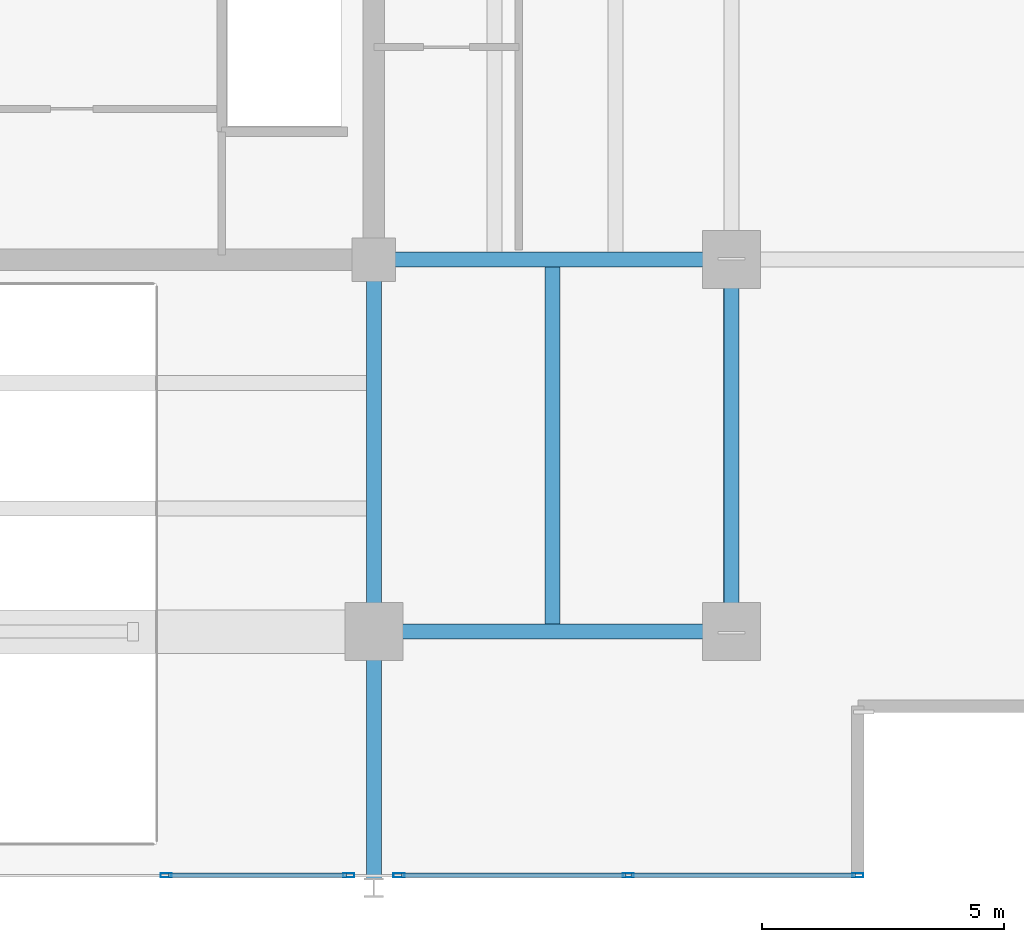
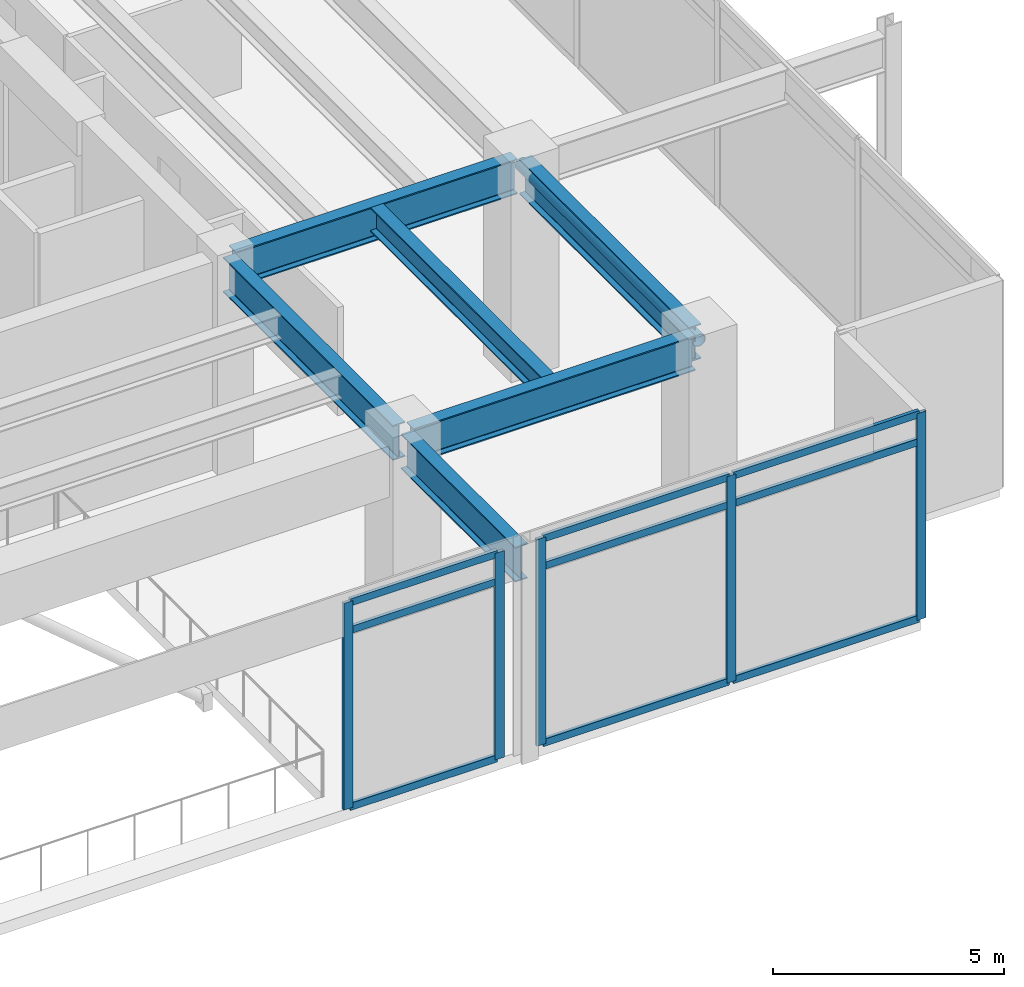
# One storey, part 9 of 25: 15 members, 6 beams, 2 elements without a shape of their own.
"""IFC4 building model written with IfcOpenShell, lengths in metres."""

from ifc_helpers import new_model, si_unit, direction, frame, origin, origin_2d, place, context, subcontext, project, spatial, hollow_rectangle, hollow_circle, i_section, extrude, material, material_profile, profile_set, type_object, element, aggregate, save


model = new_model("IFC4")

# Units and contexts
model_context = context("Model", 3, precision=1e-05, world=origin(), true_north=direction((0.0, 1.0)))
body_context = subcontext(model_context, "Body", "Model", "MODEL_VIEW")
ifc_project = project(units=[si_unit("LENGTHUNIT", "METRE"), si_unit("AREAUNIT", "SQUARE_METRE"), si_unit("VOLUMEUNIT", "CUBIC_METRE"), si_unit("PLANEANGLEUNIT", "RADIAN"), si_unit("MASSUNIT", "GRAM", prefix="KILO")], contexts=[model_context])

# Site, building, storey
site_placement = place(None, origin())
site = spatial("IfcSite", under=ifc_project, at=site_placement, CompositionType="ELEMENT")
building_placement = place(site_placement, origin())
building = spatial("IfcBuilding", under=site, at=building_placement, Name="Kovane Verandah Tower", CompositionType="ELEMENT")
storey_placement = place(building_placement, frame((0.0, 0.0, 295.199951171875)))
storey = spatial("IfcBuildingStorey", under=building, at=storey_placement, Name="L69", CompositionType="ELEMENT", Elevation=295.199951171875)

# Beams
ifc_material_1 = material(Name="Steel S460", Category="steel")
ifc_material_profile_1 = material_profile(ifc_material_1, i_section(OverallWidth=0.311279296875, OverallDepth=0.6357421875, WebThickness=0.018310546875, FlangeThickness=0.031494140625, FilletRadius=0.0166015625, at=origin_2d()), Name="UB610x305x238")
ifc_profile_set_1 = profile_set([ifc_material_profile_1], Name="Steel S460")
beam_type_1 = type_object("IfcBeamType", Name="BM-UB610x238", PredefinedType="BEAM", material=ifc_profile_set_1)
beam_1_placement = place(storey_placement, frame((54.699951171875, 10.951904296875, 5.18212890625), z_axis=(0.0, 1.0, 0.0), x_axis=(-1.0, 0.0, 0.0)))
element("IfcBeam", 1, at=beam_1_placement, inside=storey, type_object=beam_type_1, Name="L69 Secondary Composite Joist J-SE1", PredefinedType="BEAM", context=body_context, shape_type="SweptSolid", body=[
    extrude(i_section(OverallWidth=0.311279296875, OverallDepth=0.6357421875, WebThickness=0.018310546875, FlangeThickness=0.031494140625, FilletRadius=0.0166015625, at=origin_2d()), origin(), (0.0, 0.0, 1.0), 7.396240234375),
])
ifc_material_profile_2 = material_profile(ifc_material_1, i_section(OverallWidth=0.3076171875, OverallDepth=0.926513671875, WebThickness=0.01953125, FlangeThickness=0.031982421875, FilletRadius=0.01904296875, at=origin_2d()), Name="UB914x305x289")
ifc_profile_set_2 = profile_set([ifc_material_profile_2], Name="Steel S460")
beam_type_2 = type_object("IfcBeamType", Name="BM-UB914x289", PredefinedType="BEAM", material=ifc_profile_set_2)
beam_2_placement = place(storey_placement, frame((51.179931640625, 10.800048828125, 5.036865234375), z_axis=(1.0, 0.0, 0.0), x_axis=(0.0, 1.0, 0.0)))
element("IfcBeam", 2, at=beam_2_placement, inside=storey, type_object=beam_type_2, Name="L69 Primary Tower Girder G-RS3", PredefinedType="BEAM", context=body_context, shape_type="SweptSolid", body=[
    extrude(i_section(OverallWidth=0.3076171875, OverallDepth=0.926513671875, WebThickness=0.01953125, FlangeThickness=0.031982421875, FilletRadius=0.01904296875, at=origin_2d()), origin(), (0.0, 0.0, 1.0), 7.0400390625),
])
beam_3_placement = place(storey_placement, frame((58.39990234375, 10.97998046875, 5.036865234375), z_axis=(0.0, 1.0, 0.0), x_axis=(-1.0, 0.0, 0.0)))
element("IfcBeam", 3, at=beam_3_placement, inside=storey, type_object=beam_type_2, Name="L69 Primary Tower Girder G-RE1", PredefinedType="BEAM", context=body_context, shape_type="SweptSolid", body=[
    extrude(i_section(OverallWidth=0.3076171875, OverallDepth=0.926513671875, WebThickness=0.01953125, FlangeThickness=0.031982421875, FilletRadius=0.01904296875, at=origin_2d()), origin(), (0.0, 0.0, 1.0), 7.340087890625),
])
beam_4_placement = place(storey_placement, frame((51.179931640625, 18.5, 5.036865234375), z_axis=(1.0, 0.0, 0.0), x_axis=(0.0, 1.0, 0.0)))
element("IfcBeam", 4, at=beam_4_placement, inside=storey, type_object=beam_type_2, Name="L69 Primary Tower Girder G-E1", PredefinedType="BEAM", context=body_context, shape_type="SweptSolid", body=[
    extrude(i_section(OverallWidth=0.3076171875, OverallDepth=0.926513671875, WebThickness=0.01953125, FlangeThickness=0.031982421875, FilletRadius=0.01904296875, at=origin_2d()), origin(), (0.0, 0.0, 1.0), 7.0400390625),
])
beam_5_placement = place(storey_placement, frame((51.0, 18.320068359375, 5.036865234375), z_axis=(0.0, -1.0, 0.0), x_axis=(1.0, 0.0, 0.0)))
element("IfcBeam", 5, at=beam_5_placement, inside=storey, type_object=beam_type_2, Name="L69 Primary Tower Girder G-S2", PredefinedType="BEAM", context=body_context, shape_type="SweptSolid", body=[
    extrude(i_section(OverallWidth=0.3076171875, OverallDepth=0.926513671875, WebThickness=0.01953125, FlangeThickness=0.031982421875, FilletRadius=0.01904296875, at=origin_2d()), origin(), (0.0, 0.0, 1.0), 7.340087890625),
])
beam_6_placement = place(storey_placement, frame((51.0, 10.6201171875, 5.036865234375), z_axis=(0.0, -1.0, 0.0), x_axis=(1.0, 0.0, 0.0)))
element("IfcBeam", 6, at=beam_6_placement, inside=storey, type_object=beam_type_2, Name="L69 Primary Tower Girder G-VS2", PredefinedType="BEAM", context=body_context, shape_type="SweptSolid", body=[
    extrude(i_section(OverallWidth=0.3076171875, OverallDepth=0.926513671875, WebThickness=0.01953125, FlangeThickness=0.031982421875, FilletRadius=0.01904296875, at=origin_2d()), origin(), (0.0, 0.0, 1.0), 4.940185546875),
])

# Curtain wall, members
ifc_material_2 = material(Name="Champagne Anodised Aluminium Frame with Low-E Clear Laminated Glass", Category="aluminium")
curtain_wall_type = type_object("IfcCurtainWallType", Name="CW-SYS-05-HIGH", PredefinedType="NOTDEFINED", material=ifc_material_2)
curtain_wall_1_placement = place(storey_placement, origin())
curtain_wall_1 = element("IfcCurtainWall", 7, at=curtain_wall_1_placement, inside=storey, type_object=curtain_wall_type, Name="L69 South-East Wind-Portal Curtain Wall 1", PredefinedType="NOTDEFINED")
ifc_material_3 = material(Name="Champagne Anodised Aluminium 6063-T6", Category="aluminium")
ifc_material_profile_3 = material_profile(ifc_material_3, hollow_rectangle(XDim=0.0849609375, YDim=0.22998046875, WallThickness=0.00390625, at=origin_2d()), Name="AL85x230x4")
ifc_profile_set_3 = profile_set([ifc_material_profile_3], Name="Champagne Anodised Aluminium 6063-T6")
member_type_1 = type_object("IfcMemberType", Name="CW-MUL-85x230", PredefinedType="MULLION", material=ifc_profile_set_3)
member_1_placement = place(storey_placement, frame((46.699951171875, 5.75830078125, 0.02001953125), z_axis=(0.0, 0.0, 1.0), x_axis=(0.0, -1.0, 0.0)))
member_1 = element("IfcMember", 8, at=member_1_placement, type_object=member_type_1, Name="L69 South-East Wind-Portal Curtain Wall 1 Mullion 1", PredefinedType="MULLION", context=body_context, shape_type="SweptSolid", body=[
    extrude(hollow_rectangle(XDim=0.0849609375, YDim=0.22998046875, WallThickness=0.00390625, at=origin_2d()), origin(), (0.0, 0.0, 1.0), 5.4599609375),
])
member_2_placement = place(storey_placement, frame((50.47998046875, 5.75830078125, 0.02001953125), z_axis=(0.0, 0.0, 1.0), x_axis=(0.0, -1.0, 0.0)))
member_2 = element("IfcMember", 9, at=member_2_placement, type_object=member_type_1, Name="L69 South-East Wind-Portal Curtain Wall 1 Mullion 2", PredefinedType="MULLION", context=body_context, shape_type="SweptSolid", body=[
    extrude(hollow_rectangle(XDim=0.0849609375, YDim=0.22998046875, WallThickness=0.00390625, at=origin_2d()), origin(), (0.0, 0.0, 1.0), 5.4599609375),
])

curtain_wall_2_placement = place(storey_placement, origin())
curtain_wall_2 = element("IfcCurtainWall", 10, at=curtain_wall_2_placement, inside=storey, type_object=curtain_wall_type, Name="L69 South-East Wind-Portal Curtain Wall 2", PredefinedType="NOTDEFINED")
member_3_placement = place(storey_placement, frame((51.52001953125, 5.75830078125, 0.02001953125), z_axis=(0.0, 0.0, 1.0), x_axis=(0.0, -1.0, 0.0)))
member_3 = element("IfcMember", 11, at=member_3_placement, type_object=member_type_1, Name="L69 South-East Wind-Portal Curtain Wall 2 Mullion 1", PredefinedType="MULLION", context=body_context, shape_type="SweptSolid", body=[
    extrude(hollow_rectangle(XDim=0.0849609375, YDim=0.22998046875, WallThickness=0.00390625, at=origin_2d()), origin(), (0.0, 0.0, 1.0), 5.4599609375),
])
member_4_placement = place(storey_placement, frame((56.26904296875, 5.75830078125, 0.02001953125), z_axis=(0.0, 0.0, 1.0), x_axis=(0.0, -1.0, 0.0)))
member_4 = element("IfcMember", 12, at=member_4_placement, type_object=member_type_1, Name="L69 South-East Wind-Portal Curtain Wall 2 Mullion 2", PredefinedType="MULLION", context=body_context, shape_type="SweptSolid", body=[
    extrude(hollow_rectangle(XDim=0.0849609375, YDim=0.22998046875, WallThickness=0.00390625, at=origin_2d()), origin(), (0.0, 0.0, 1.0), 5.4599609375),
])
member_5_placement = place(storey_placement, frame((61.017822265625, 5.75830078125, 0.02001953125), z_axis=(0.0, 0.0, 1.0), x_axis=(0.0, -1.0, 0.0)))
member_5 = element("IfcMember", 13, at=member_5_placement, type_object=member_type_1, Name="L69 South-East Wind-Portal Curtain Wall 2 Mullion 3", PredefinedType="MULLION", context=body_context, shape_type="SweptSolid", body=[
    extrude(hollow_rectangle(XDim=0.0849609375, YDim=0.22998046875, WallThickness=0.00390625, at=origin_2d()), origin(), (0.0, 0.0, 1.0), 5.4599609375),
])

# Member
ifc_material_profile_4 = material_profile(ifc_material_3, hollow_rectangle(XDim=0.0849609375, YDim=0.18994140625, WallThickness=0.00390625, at=origin_2d()), Name="AL85x190x4")
ifc_profile_set_4 = profile_set([ifc_material_profile_4], Name="Champagne Anodised Aluminium 6063-T6")
member_type_2 = type_object("IfcMemberType", Name="CW-TRN-85x190", PredefinedType="USERDEFINED", material=ifc_profile_set_4)
member_6_placement = place(storey_placement, frame((46.75, 5.75830078125, 0.050048828125), z_axis=(1.0, 0.0, 0.0), x_axis=(0.0, 1.0, 0.0)))
member_6 = element("IfcMember", 14, at=member_6_placement, type_object=member_type_2, Name="L69 South-East Wind-Portal Curtain Wall 1 Transom TB Bay 1", ObjectType="TRANSOM", PredefinedType="USERDEFINED", context=body_context, shape_type="SweptSolid", body=[
    extrude(hollow_rectangle(XDim=0.0849609375, YDim=0.18994140625, WallThickness=0.00390625, at=origin_2d()), origin(), (0.0, 0.0, 1.0), 3.679931640625),
])

member_7_placement = place(storey_placement, frame((46.75, 5.75830078125, 4.719970703125), z_axis=(1.0, 0.0, 0.0), x_axis=(0.0, 1.0, 0.0)))
member_7 = element("IfcMember", 15, at=member_7_placement, type_object=member_type_2, Name="L69 South-East Wind-Portal Curtain Wall 1 Transom TM Bay 1", ObjectType="TRANSOM", PredefinedType="USERDEFINED", context=body_context, shape_type="SweptSolid", body=[
    extrude(hollow_rectangle(XDim=0.0849609375, YDim=0.18994140625, WallThickness=0.00390625, at=origin_2d()), origin(), (0.0, 0.0, 1.0), 3.679931640625),
])

member_8_placement = place(storey_placement, frame((46.75, 5.75830078125, 5.449951171875), z_axis=(1.0, 0.0, 0.0), x_axis=(0.0, 1.0, 0.0)))
member_8 = element("IfcMember", 16, at=member_8_placement, type_object=member_type_2, Name="L69 South-East Wind-Portal Curtain Wall 1 Transom TT Bay 1", ObjectType="TRANSOM", PredefinedType="USERDEFINED", context=body_context, shape_type="SweptSolid", body=[
    extrude(hollow_rectangle(XDim=0.0849609375, YDim=0.18994140625, WallThickness=0.00390625, at=origin_2d()), origin(), (0.0, 0.0, 1.0), 3.679931640625),
])

aggregate(curtain_wall_1, [member_1, member_2, member_6, member_7, member_8])

member_9_placement = place(storey_placement, frame((51.570068359375, 5.75830078125, 0.050048828125), z_axis=(1.0, 0.0, 0.0), x_axis=(0.0, 1.0, 0.0)))
member_9 = element("IfcMember", 17, at=member_9_placement, type_object=member_type_2, Name="L69 South-East Wind-Portal Curtain Wall 2 Transom TB Bay 1", ObjectType="TRANSOM", PredefinedType="USERDEFINED", context=body_context, shape_type="SweptSolid", body=[
    extrude(hollow_rectangle(XDim=0.0849609375, YDim=0.18994140625, WallThickness=0.00390625, at=origin_2d()), origin(), (0.0, 0.0, 1.0), 4.64892578125),
])

member_10_placement = place(storey_placement, frame((51.570068359375, 5.75830078125, 4.719970703125), z_axis=(1.0, 0.0, 0.0), x_axis=(0.0, 1.0, 0.0)))
member_10 = element("IfcMember", 18, at=member_10_placement, type_object=member_type_2, Name="L69 South-East Wind-Portal Curtain Wall 2 Transom TM Bay 1", ObjectType="TRANSOM", PredefinedType="USERDEFINED", context=body_context, shape_type="SweptSolid", body=[
    extrude(hollow_rectangle(XDim=0.0849609375, YDim=0.18994140625, WallThickness=0.00390625, at=origin_2d()), origin(), (0.0, 0.0, 1.0), 4.64892578125),
])

member_11_placement = place(storey_placement, frame((51.570068359375, 5.75830078125, 5.449951171875), z_axis=(1.0, 0.0, 0.0), x_axis=(0.0, 1.0, 0.0)))
member_11 = element("IfcMember", 19, at=member_11_placement, type_object=member_type_2, Name="L69 South-East Wind-Portal Curtain Wall 2 Transom TT Bay 1", ObjectType="TRANSOM", PredefinedType="USERDEFINED", context=body_context, shape_type="SweptSolid", body=[
    extrude(hollow_rectangle(XDim=0.0849609375, YDim=0.18994140625, WallThickness=0.00390625, at=origin_2d()), origin(), (0.0, 0.0, 1.0), 4.64892578125),
])

member_12_placement = place(storey_placement, frame((56.319091796875, 5.75830078125, 0.050048828125), z_axis=(1.0, 0.0, 0.0), x_axis=(0.0, 1.0, 0.0)))
member_12 = element("IfcMember", 20, at=member_12_placement, type_object=member_type_2, Name="L69 South-East Wind-Portal Curtain Wall 2 Transom TB Bay 2", ObjectType="TRANSOM", PredefinedType="USERDEFINED", context=body_context, shape_type="SweptSolid", body=[
    extrude(hollow_rectangle(XDim=0.0849609375, YDim=0.18994140625, WallThickness=0.00390625, at=origin_2d()), origin(), (0.0, 0.0, 1.0), 4.64892578125),
])

member_13_placement = place(storey_placement, frame((56.319091796875, 5.75830078125, 4.719970703125), z_axis=(1.0, 0.0, 0.0), x_axis=(0.0, 1.0, 0.0)))
member_13 = element("IfcMember", 21, at=member_13_placement, type_object=member_type_2, Name="L69 South-East Wind-Portal Curtain Wall 2 Transom TM Bay 2", ObjectType="TRANSOM", PredefinedType="USERDEFINED", context=body_context, shape_type="SweptSolid", body=[
    extrude(hollow_rectangle(XDim=0.0849609375, YDim=0.18994140625, WallThickness=0.00390625, at=origin_2d()), origin(), (0.0, 0.0, 1.0), 4.64892578125),
])

member_14_placement = place(storey_placement, frame((56.319091796875, 5.75830078125, 5.449951171875), z_axis=(1.0, 0.0, 0.0), x_axis=(0.0, 1.0, 0.0)))
member_14 = element("IfcMember", 22, at=member_14_placement, type_object=member_type_2, Name="L69 South-East Wind-Portal Curtain Wall 2 Transom TT Bay 2", ObjectType="TRANSOM", PredefinedType="USERDEFINED", context=body_context, shape_type="SweptSolid", body=[
    extrude(hollow_rectangle(XDim=0.0849609375, YDim=0.18994140625, WallThickness=0.00390625, at=origin_2d()), origin(), (0.0, 0.0, 1.0), 4.64892578125),
])

aggregate(curtain_wall_2, [member_3, member_4, member_5, member_9, member_10, member_11, member_12, member_13, member_14])

ifc_material_profile_5 = material_profile(ifc_material_1, hollow_circle(Radius=0.161865234375, WallThickness=0.012451171875, at=origin_2d()), Name="CHS323.9x12.5")
ifc_profile_set_5 = profile_set([ifc_material_profile_5], Name="Steel S460")
member_type_3 = type_object("IfcMemberType", Name="MEM-STRUT-CHS324", PredefinedType="STRUT", material=ifc_profile_set_5)
member_15_placement = place(storey_placement, frame((58.39990234375, 10.800048828125, 5.219970703125), z_axis=(0.0, 1.0, 0.0), x_axis=(-1.0, 0.0, 0.0)))
element("IfcMember", 23, at=member_15_placement, inside=storey, type_object=member_type_3, Name="L69 Belt-Truss Ring Chord BE1", PredefinedType="STRUT", context=body_context, shape_type="SweptSolid", body=[
    extrude(hollow_circle(Radius=0.161865234375, WallThickness=0.012451171875, at=origin_2d()), origin(), (0.0, 0.0, 1.0), 7.699951171875),
])

save(model, "model.ifc")
